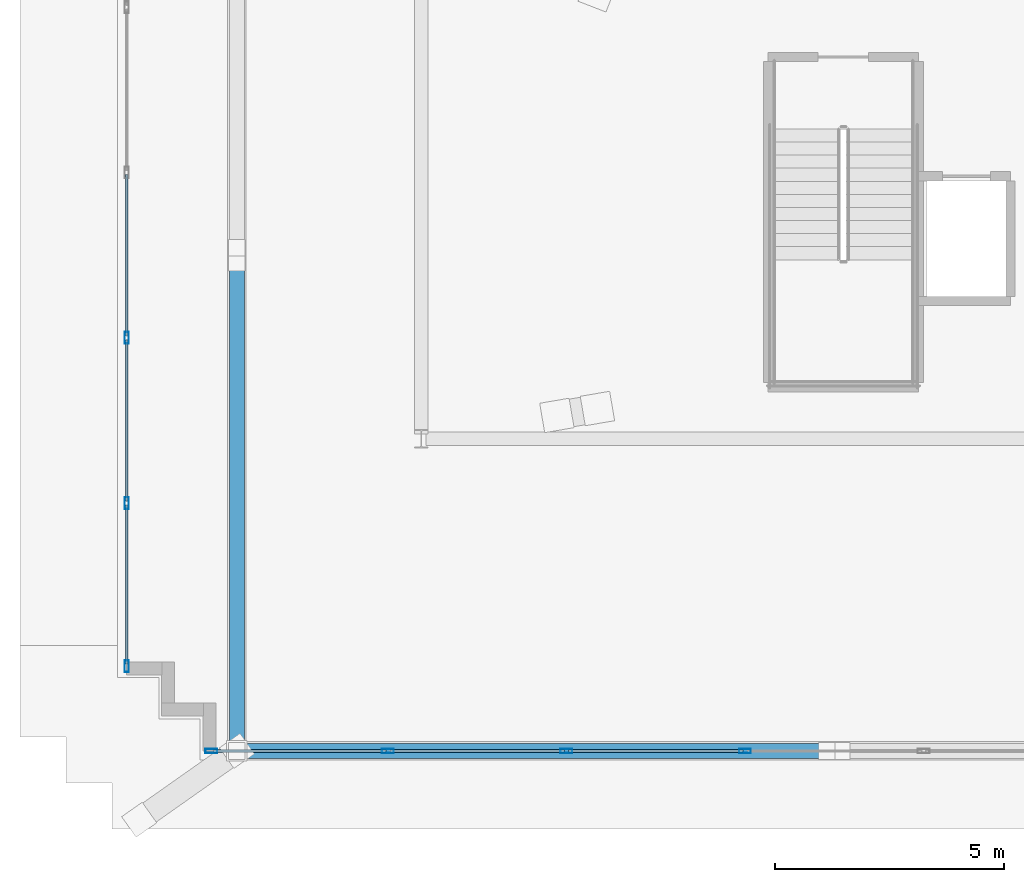
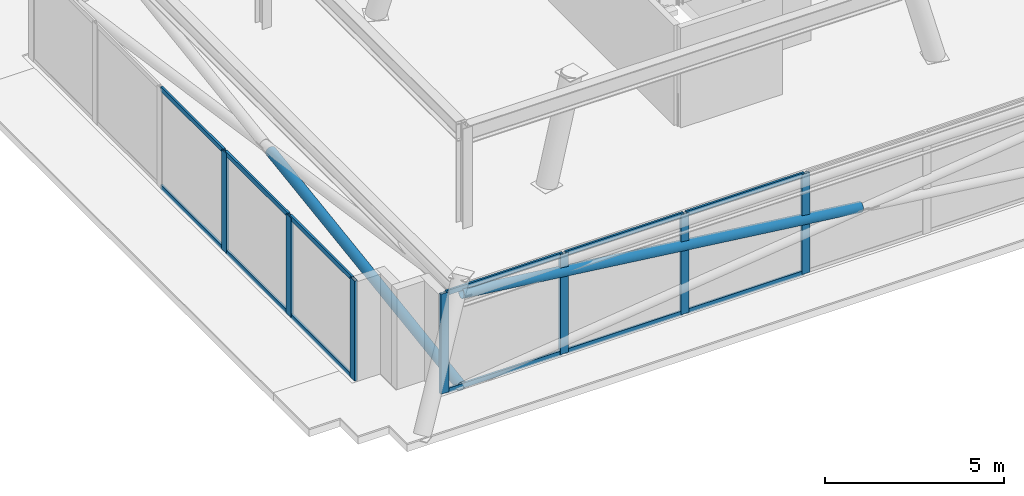
# One storey, part 2 of 15: 21 members, 2 elements without a shape of their own.
"""IFC4 building model written with IfcOpenShell, lengths in metres."""

from ifc_helpers import new_model, si_unit, direction, frame, origin, origin_2d, place, context, subcontext, project, spatial, hollow_rectangle, hollow_circle, extrude, material, layer, layer_set, material_profile, profile_set, type_object, element, aggregate, save


model = new_model("IFC4")

# Units and contexts
model_context = context("Model", 3, precision=1e-05, world=origin(), true_north=direction((0.0, 1.0)))
body_context = subcontext(model_context, "Body", "Model", "MODEL_VIEW")
ifc_project = project(units=[si_unit("LENGTHUNIT", "METRE"), si_unit("AREAUNIT", "SQUARE_METRE"), si_unit("VOLUMEUNIT", "CUBIC_METRE"), si_unit("PLANEANGLEUNIT", "RADIAN"), si_unit("MASSUNIT", "GRAM", prefix="KILO")], contexts=[model_context])

# Site, building, storey
site_placement = place(None, origin())
site = spatial("IfcSite", under=ifc_project, at=site_placement, CompositionType="ELEMENT")
building_placement = place(site_placement, origin())
building = spatial("IfcBuilding", under=site, at=building_placement, Name="Qobustan Lattice House", CompositionType="ELEMENT")
storey_placement = place(building_placement, frame((0.0, 0.0, 281.60009765625)))
storey = spatial("IfcBuildingStorey", under=building, at=storey_placement, Name="L79", CompositionType="ELEMENT", Elevation=281.60009765625)

# Curtain wall, members
ifc_material_1 = material(Name="Anodised aluminium and low-E glazing", Category="aluminium")
ifc_layer = layer(ifc_material_1, 0.219970703125)
ifc_layer_set = layer_set([ifc_layer], Name="Anodised aluminium and low-E glazing")
curtain_wall_type = type_object("IfcCurtainWallType", Name="CW-CRN-01", PredefinedType="USERDEFINED", material=ifc_layer_set)
curtain_wall_1_placement = place(storey_placement, origin())
curtain_wall_1 = element("IfcCurtainWall", 1, at=curtain_wall_1_placement, inside=storey, type_object=curtain_wall_type, Name="L79 glass-point crown faceted curtain wall 5", ObjectType="CURTAIN WALL", PredefinedType="USERDEFINED")
ifc_material_2 = material(Name="Anodised aluminium EN AW-6063 T6", Category="aluminium")
ifc_material_profile_1 = material_profile(ifc_material_2, hollow_rectangle(XDim=0.090087890625, YDim=0.260009765625, WallThickness=0.006103515625, at=origin_2d()), Name="CWM-CROWN-260x90")
ifc_profile_set_1 = profile_set([ifc_material_profile_1], Name="Anodised aluminium EN AW-6063 T6")
member_type_1 = type_object("IfcMemberType", Name="CWM-CRN-260", PredefinedType="MULLION", material=ifc_profile_set_1)
member_1_placement = place(storey_placement, frame((-15.6201171875, -10.56005859375, 0.0), z_axis=(0.0, 0.0, 1.0), x_axis=(-1.0, 0.0, 0.0)))
member_1 = element("IfcMember", 2, at=member_1_placement, type_object=member_type_1, Name="CW-CR mullion 1", PredefinedType="MULLION", context=body_context, shape_type="SweptSolid", body=[
    extrude(hollow_rectangle(XDim=0.090087890625, YDim=0.260009765625, WallThickness=0.006103515625, at=origin_2d()), origin(), (0.0, 0.0, 1.0), 3.39990234375),
])
member_2_placement = place(storey_placement, frame((-15.6201171875, -7.0029296875, 0.0), z_axis=(0.0, 0.0, 1.0), x_axis=(-1.0, 0.0, 0.0)))
member_2 = element("IfcMember", 3, at=member_2_placement, type_object=member_type_1, Name="CW-CR mullion 2", PredefinedType="MULLION", context=body_context, shape_type="SweptSolid", body=[
    extrude(hollow_rectangle(XDim=0.090087890625, YDim=0.260009765625, WallThickness=0.006103515625, at=origin_2d()), origin(), (0.0, 0.0, 1.0), 3.39990234375),
])
member_3_placement = place(storey_placement, frame((-15.6201171875, -3.40087890625, 0.0), z_axis=(0.0, 0.0, 1.0), x_axis=(-1.0, 0.0, 0.0)))
member_3 = element("IfcMember", 4, at=member_3_placement, type_object=member_type_1, Name="CW-CR mullion 3", PredefinedType="MULLION", context=body_context, shape_type="SweptSolid", body=[
    extrude(hollow_rectangle(XDim=0.090087890625, YDim=0.260009765625, WallThickness=0.006103515625, at=origin_2d()), origin(), (0.0, 0.0, 1.0), 3.39990234375),
])

curtain_wall_2_placement = place(storey_placement, origin())
curtain_wall_2 = element("IfcCurtainWall", 5, at=curtain_wall_2_placement, inside=storey, type_object=curtain_wall_type, Name="L79 glass-point crown faceted curtain wall 20", ObjectType="CURTAIN WALL", PredefinedType="USERDEFINED")
member_4_placement = place(storey_placement, frame((-2.145751953125, -12.405029296875, 0.0), z_axis=(0.0, 0.0, 1.0), x_axis=(0.0, -1.0, 0.0)))
member_4 = element("IfcMember", 6, at=member_4_placement, type_object=member_type_1, Name="CW-CR mullion 5", PredefinedType="MULLION", context=body_context, shape_type="SweptSolid", body=[
    extrude(hollow_rectangle(XDim=0.090087890625, YDim=0.260009765625, WallThickness=0.006103515625, at=origin_2d()), origin(), (0.0, 0.0, 1.0), 3.39990234375),
])
member_5_placement = place(storey_placement, frame((-6.037109375, -12.405029296875, 0.0), z_axis=(0.0, 0.0, 1.0), x_axis=(0.0, -1.0, 0.0)))
member_5 = element("IfcMember", 7, at=member_5_placement, type_object=member_type_1, Name="CW-CR mullion 6", PredefinedType="MULLION", context=body_context, shape_type="SweptSolid", body=[
    extrude(hollow_rectangle(XDim=0.090087890625, YDim=0.260009765625, WallThickness=0.006103515625, at=origin_2d()), origin(), (0.0, 0.0, 1.0), 3.39990234375),
])
member_6_placement = place(storey_placement, frame((-9.928466796875, -12.405029296875, 0.0), z_axis=(0.0, 0.0, 1.0), x_axis=(0.0, -1.0, 0.0)))
member_6 = element("IfcMember", 8, at=member_6_placement, type_object=member_type_1, Name="CW-CR mullion 7", PredefinedType="MULLION", context=body_context, shape_type="SweptSolid", body=[
    extrude(hollow_rectangle(XDim=0.090087890625, YDim=0.260009765625, WallThickness=0.006103515625, at=origin_2d()), origin(), (0.0, 0.0, 1.0), 3.39990234375),
])
member_7_placement = place(storey_placement, frame((-13.77490234375, -12.405029296875, 0.0), z_axis=(0.0, 0.0, 1.0), x_axis=(0.0, -1.0, 0.0)))
member_7 = element("IfcMember", 9, at=member_7_placement, type_object=member_type_1, Name="CW-CR mullion 8", PredefinedType="MULLION", context=body_context, shape_type="SweptSolid", body=[
    extrude(hollow_rectangle(XDim=0.090087890625, YDim=0.260009765625, WallThickness=0.006103515625, at=origin_2d()), origin(), (0.0, 0.0, 1.0), 3.39990234375),
])

# Member
ifc_material_3 = material(Name="Anodised aluminium EN AW-6063 T6", Category="aluminium")
ifc_material_profile_2 = material_profile(ifc_material_3, hollow_rectangle(XDim=0.06494140625, YDim=0.159912109375, WallThickness=0.00390625, at=origin_2d()), Name="CWT-160x65")
ifc_profile_set_2 = profile_set([ifc_material_profile_2], Name="Anodised aluminium EN AW-6063 T6")
member_type_2 = type_object("IfcMemberType", Name="CWT-HOR-160", PredefinedType="USERDEFINED", material=ifc_profile_set_2)
member_8_placement = place(storey_placement, frame((-15.6201171875, -10.514892578125, 0.032470703125), z_axis=(0.0, 1.0, 0.0), x_axis=(-1.0, 0.0, 0.0)))
member_8 = element("IfcMember", 10, at=member_8_placement, type_object=member_type_2, Name="CW-CR transom 1.1", ObjectType="TRANSOM", PredefinedType="USERDEFINED", context=body_context, shape_type="SweptSolid", body=[
    extrude(hollow_rectangle(XDim=0.06494140625, YDim=0.159912109375, WallThickness=0.00390625, at=origin_2d()), origin(), (0.0, 0.0, 1.0), 3.466796875),
])

member_9_placement = place(storey_placement, frame((-15.6201171875, -10.514892578125, 3.367431640625), z_axis=(0.0, 1.0, 0.0), x_axis=(-1.0, 0.0, 0.0)))
member_9 = element("IfcMember", 11, at=member_9_placement, type_object=member_type_2, Name="CW-CR transom 1.2", ObjectType="TRANSOM", PredefinedType="USERDEFINED", context=body_context, shape_type="SweptSolid", body=[
    extrude(hollow_rectangle(XDim=0.06494140625, YDim=0.159912109375, WallThickness=0.00390625, at=origin_2d()), origin(), (0.0, 0.0, 1.0), 3.466796875),
])

member_10_placement = place(storey_placement, frame((-15.6201171875, -6.9580078125, 0.032470703125), z_axis=(0.0, 1.0, 0.0), x_axis=(-1.0, 0.0, 0.0)))
member_10 = element("IfcMember", 12, at=member_10_placement, type_object=member_type_2, Name="CW-CR transom 2.1", ObjectType="TRANSOM", PredefinedType="USERDEFINED", context=body_context, shape_type="SweptSolid", body=[
    extrude(hollow_rectangle(XDim=0.06494140625, YDim=0.159912109375, WallThickness=0.00390625, at=origin_2d()), origin(), (0.0, 0.0, 1.0), 3.511962890625),
])

member_11_placement = place(storey_placement, frame((-15.6201171875, -6.9580078125, 3.367431640625), z_axis=(0.0, 1.0, 0.0), x_axis=(-1.0, 0.0, 0.0)))
member_11 = element("IfcMember", 13, at=member_11_placement, type_object=member_type_2, Name="CW-CR transom 2.2", ObjectType="TRANSOM", PredefinedType="USERDEFINED", context=body_context, shape_type="SweptSolid", body=[
    extrude(hollow_rectangle(XDim=0.06494140625, YDim=0.159912109375, WallThickness=0.00390625, at=origin_2d()), origin(), (0.0, 0.0, 1.0), 3.511962890625),
])

member_12_placement = place(storey_placement, frame((-15.6201171875, -3.35595703125, 0.032470703125), z_axis=(0.0, 1.0, 0.0), x_axis=(-1.0, 0.0, 0.0)))
member_12 = element("IfcMember", 14, at=member_12_placement, type_object=member_type_2, Name="CW-CR transom 3.1", ObjectType="TRANSOM", PredefinedType="USERDEFINED", context=body_context, shape_type="SweptSolid", body=[
    extrude(hollow_rectangle(XDim=0.06494140625, YDim=0.159912109375, WallThickness=0.00390625, at=origin_2d()), origin(), (0.0, 0.0, 1.0), 3.511962890625),
])

member_13_placement = place(storey_placement, frame((-15.6201171875, -3.35595703125, 3.367431640625), z_axis=(0.0, 1.0, 0.0), x_axis=(-1.0, 0.0, 0.0)))
member_13 = element("IfcMember", 15, at=member_13_placement, type_object=member_type_2, Name="CW-CR transom 3.2", ObjectType="TRANSOM", PredefinedType="USERDEFINED", context=body_context, shape_type="SweptSolid", body=[
    extrude(hollow_rectangle(XDim=0.06494140625, YDim=0.159912109375, WallThickness=0.00390625, at=origin_2d()), origin(), (0.0, 0.0, 1.0), 3.511962890625),
])

aggregate(curtain_wall_1, [member_1, member_2, member_3, member_8, member_9, member_10, member_11, member_12, member_13])

member_14_placement = place(storey_placement, frame((-2.190673828125, -12.405029296875, 0.032470703125), z_axis=(-1.0, 0.0, 0.0), x_axis=(0.0, -1.0, 0.0)))
member_14 = element("IfcMember", 16, at=member_14_placement, type_object=member_type_2, Name="CW-CR transom 5.1", ObjectType="TRANSOM", PredefinedType="USERDEFINED", context=body_context, shape_type="SweptSolid", body=[
    extrude(hollow_rectangle(XDim=0.06494140625, YDim=0.159912109375, WallThickness=0.00390625, at=origin_2d()), origin(), (0.0, 0.0, 1.0), 3.801513671875),
])

member_15_placement = place(storey_placement, frame((-2.190673828125, -12.405029296875, 3.367431640625), z_axis=(-1.0, 0.0, 0.0), x_axis=(0.0, -1.0, 0.0)))
member_15 = element("IfcMember", 17, at=member_15_placement, type_object=member_type_2, Name="CW-CR transom 5.2", ObjectType="TRANSOM", PredefinedType="USERDEFINED", context=body_context, shape_type="SweptSolid", body=[
    extrude(hollow_rectangle(XDim=0.06494140625, YDim=0.159912109375, WallThickness=0.00390625, at=origin_2d()), origin(), (0.0, 0.0, 1.0), 3.801513671875),
])

member_16_placement = place(storey_placement, frame((-6.08203125, -12.405029296875, 0.032470703125), z_axis=(-1.0, 0.0, 0.0), x_axis=(0.0, -1.0, 0.0)))
member_16 = element("IfcMember", 18, at=member_16_placement, type_object=member_type_2, Name="CW-CR transom 6.1", ObjectType="TRANSOM", PredefinedType="USERDEFINED", context=body_context, shape_type="SweptSolid", body=[
    extrude(hollow_rectangle(XDim=0.06494140625, YDim=0.159912109375, WallThickness=0.00390625, at=origin_2d()), origin(), (0.0, 0.0, 1.0), 3.801513671875),
])

member_17_placement = place(storey_placement, frame((-6.08203125, -12.405029296875, 3.367431640625), z_axis=(-1.0, 0.0, 0.0), x_axis=(0.0, -1.0, 0.0)))
member_17 = element("IfcMember", 19, at=member_17_placement, type_object=member_type_2, Name="CW-CR transom 6.2", ObjectType="TRANSOM", PredefinedType="USERDEFINED", context=body_context, shape_type="SweptSolid", body=[
    extrude(hollow_rectangle(XDim=0.06494140625, YDim=0.159912109375, WallThickness=0.00390625, at=origin_2d()), origin(), (0.0, 0.0, 1.0), 3.801513671875),
])

member_18_placement = place(storey_placement, frame((-9.9736328125, -12.405029296875, 0.032470703125), z_axis=(-1.0, 0.0, 0.0), x_axis=(0.0, -1.0, 0.0)))
member_18 = element("IfcMember", 20, at=member_18_placement, type_object=member_type_2, Name="CW-CR transom 7.1", ObjectType="TRANSOM", PredefinedType="USERDEFINED", context=body_context, shape_type="SweptSolid", body=[
    extrude(hollow_rectangle(XDim=0.06494140625, YDim=0.159912109375, WallThickness=0.00390625, at=origin_2d()), origin(), (0.0, 0.0, 1.0), 3.75634765625),
])

member_19_placement = place(storey_placement, frame((-9.9736328125, -12.405029296875, 3.367431640625), z_axis=(-1.0, 0.0, 0.0), x_axis=(0.0, -1.0, 0.0)))
member_19 = element("IfcMember", 21, at=member_19_placement, type_object=member_type_2, Name="CW-CR transom 7.2", ObjectType="TRANSOM", PredefinedType="USERDEFINED", context=body_context, shape_type="SweptSolid", body=[
    extrude(hollow_rectangle(XDim=0.06494140625, YDim=0.159912109375, WallThickness=0.00390625, at=origin_2d()), origin(), (0.0, 0.0, 1.0), 3.75634765625),
])

aggregate(curtain_wall_2, [member_4, member_5, member_6, member_7, member_14, member_15, member_16, member_17, member_18, member_19])

# Members
ifc_material_4 = material(Name="Steel S355", Category="steel")
ifc_material_profile_3 = material_profile(ifc_material_4, hollow_circle(Radius=0.161865234375, WallThickness=0.012451171875, at=origin_2d()), Name="CHS323.9x12.5")
ifc_profile_set_3 = profile_set([ifc_material_profile_3], Name="Steel S355")
member_type_3 = type_object("IfcMemberType", Name="MEM-CBR-CHS324", PredefinedType="BRACE", material=ifc_profile_set_3)
member_20_placement = place(storey_placement, frame((-0.36669921875, -12.405029296875, 1.61767578125), z_axis=(-0.992694208384, 0.0, 0.120657401931), x_axis=(0.0, -1.0, 0.0)))
element("IfcMember", 22, at=member_20_placement, inside=storey, type_object=member_type_3, Name="L79 crown diagrid split brace 1B upper", PredefinedType="BRACE", context=body_context, shape_type="SweptSolid", body=[
    extrude(hollow_circle(Radius=0.161865234375, WallThickness=0.012451171875, at=origin_2d()), origin(), (0.0, 0.0, 1.0), 12.94775390625),
])
member_21_placement = place(storey_placement, frame((-13.219970703125, -12.405029296875, 0.014892578125), z_axis=(0.0, 0.989445189346, 0.144907616367), x_axis=(-1.0, 0.0, 0.0)))
element("IfcMember", 23, at=member_21_placement, inside=storey, type_object=member_type_3, Name="L79 crown diagrid split brace 4B lower", PredefinedType="BRACE", context=body_context, shape_type="SweptSolid", body=[
    extrude(hollow_circle(Radius=0.161865234375, WallThickness=0.012451171875, at=origin_2d()), origin(), (0.0, 0.0, 1.0), 10.75244140625),
])

save(model, "model.ifc")
